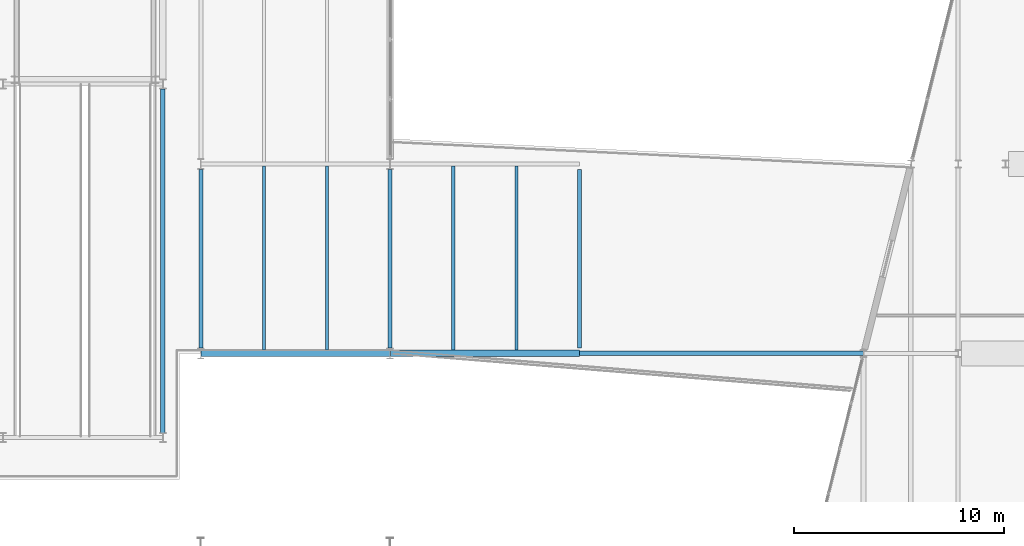
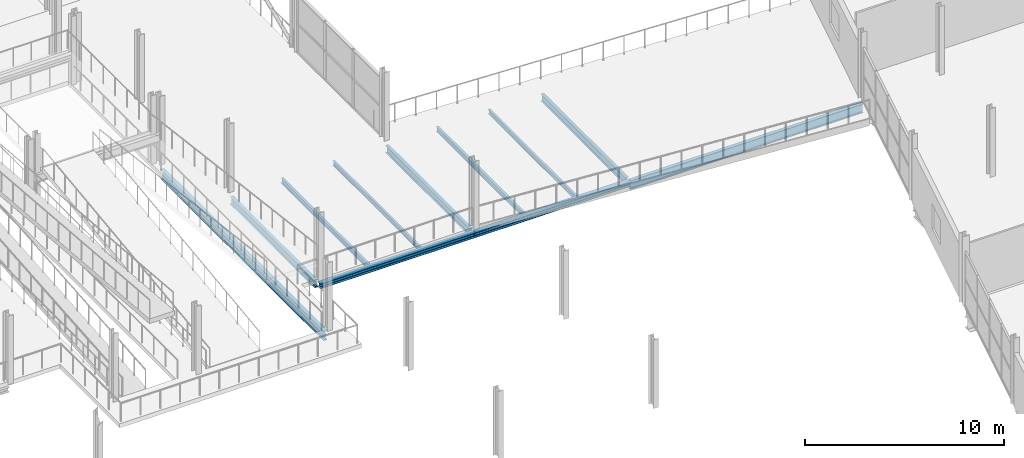
# One storey, part 59 of 135: 11 beams.
"""IFC4 building model written with IfcOpenShell, lengths in metres."""

from ifc_helpers import new_model, si_unit, direction, frame, origin, origin_2d, place, context, subcontext, project, spatial, i_section, extrude, material, material_profile, profile_set, type_object, element, save


model = new_model("IFC4")

# Units and contexts
model_context = context("Model", 3, precision=1e-05, world=origin(), true_north=direction((0.0, 1.0)))
body_context = subcontext(model_context, "Body", "Model", "MODEL_VIEW")
ifc_project = project(units=[si_unit("LENGTHUNIT", "METRE"), si_unit("AREAUNIT", "SQUARE_METRE"), si_unit("VOLUMEUNIT", "CUBIC_METRE"), si_unit("PLANEANGLEUNIT", "RADIAN"), si_unit("MASSUNIT", "GRAM", prefix="KILO")], contexts=[model_context])

# Site, building, storey
site_placement = place(None, origin())
site = spatial("IfcSite", under=ifc_project, at=site_placement, CompositionType="ELEMENT")
building_placement = place(site_placement, origin())
building = spatial("IfcBuilding", under=site, at=building_placement, Name="Deido Ridge Mobility Hub", CompositionType="ELEMENT")
storey_placement = place(building_placement, frame((0.0, 0.0, 4.199951171875)))
storey = spatial("IfcBuildingStorey", under=building, at=storey_placement, Name="L01", CompositionType="ELEMENT", Elevation=4.199951171875)

# Beams
ifc_material = material(Name="Steel S355J2 EN 10025-2", Category="steel")
ifc_material_profile_1 = material_profile(ifc_material, i_section(OverallWidth=0.18994140625, OverallDepth=0.449951171875, WebThickness=0.009521484375, FlangeThickness=0.0146484375, FilletRadius=0.02099609375, at=origin_2d()), Name="IPE 450")
ifc_profile_set_1 = profile_set([ifc_material_profile_1], Name="Steel S355J2 EN 10025-2")
beam_type_1 = type_object("IfcBeamType", Name="BM-IPE450", PredefinedType="BEAM", material=ifc_profile_set_1)
for number, where, z_axis, x_axis, name in (
    (1, (99.0, 54.25, -0.474853515625), (0.0, 1.0, 0.0), (-1.0, 0.0, 0.0), "Floor beam B4"),
    (2, (108.0, 54.25, -0.474853515625), (0.0, 1.0, 0.0), (-1.0, 0.0, 0.0), "Floor beam B4"),
    (3, (117.0, 54.25, -0.474853515625), (0.0, 1.0, 0.0), (-1.0, 0.0, 0.0), "Floor beam B4"),
):
    element("IfcBeam", number, at=place(storey_placement, frame(where, z_axis=z_axis, x_axis=x_axis)), inside=storey, type_object=beam_type_1, Name=name, PredefinedType="BEAM", context=body_context, shape_type="SweptSolid", body=[
        extrude(i_section(OverallWidth=0.18994140625, OverallDepth=0.449951171875, WebThickness=0.009521484375, FlangeThickness=0.0146484375, FilletRadius=0.02099609375, at=origin_2d()), origin(), (0.0, 0.0, 1.0), 8.5),
    ])
ifc_material_profile_2 = material_profile(ifc_material, i_section(OverallWidth=0.2099609375, OverallDepth=0.550048828125, WebThickness=0.010986328125, FlangeThickness=0.01708984375, FilletRadius=0.02392578125, at=origin_2d()), Name="IPE 550")
ifc_profile_set_2 = profile_set([ifc_material_profile_2], Name="Steel S355J2 EN 10025-2")
beam_type_2 = type_object("IfcBeamType", Name="BM-IPE550", PredefinedType="BEAM", material=ifc_profile_set_2)
beam_1_placement = place(storey_placement, frame((117.007080078125, 54.0, -0.52490234375), z_axis=(1.0, 0.0, 0.0), x_axis=(0.0, 1.0, 0.0)))
element("IfcBeam", 4, at=beam_1_placement, inside=storey, type_object=beam_type_2, Name="Floor beam B2", PredefinedType="BEAM", context=body_context, shape_type="SweptSolid", body=[
    extrude(i_section(OverallWidth=0.2099609375, OverallDepth=0.550048828125, WebThickness=0.010986328125, FlangeThickness=0.01708984375, FilletRadius=0.02392578125, at=origin_2d()), origin(), (0.0, 0.0, 1.0), 13.48681640625),
])
ifc_material_profile_3 = material_profile(ifc_material, i_section(OverallWidth=0.219970703125, OverallDepth=0.60009765625, WebThickness=0.011962890625, FlangeThickness=0.01904296875, FilletRadius=0.02392578125, at=origin_2d()), Name="IPE 600")
ifc_profile_set_3 = profile_set([ifc_material_profile_3], Name="Steel S355J2 EN 10025-2")
beam_type_3 = type_object("IfcBeamType", Name="BM-IPE600", PredefinedType="BEAM", material=ifc_profile_set_3)
beam_2_placement = place(storey_placement, frame((97.199951171875, 50.22509765625, -0.550048828125), z_axis=(0.0, 1.0, 0.0), x_axis=(-1.0, 0.0, 0.0)))
element("IfcBeam", 5, at=beam_2_placement, inside=storey, type_object=beam_type_3, Name="Floor beam B1", PredefinedType="BEAM", context=body_context, shape_type="SweptSolid", body=[
    extrude(i_section(OverallWidth=0.219970703125, OverallDepth=0.60009765625, WebThickness=0.011962890625, FlangeThickness=0.01904296875, FilletRadius=0.02392578125, at=origin_2d()), origin(), (0.0, 0.0, 1.0), 16.349853515625),
])
ifc_material_profile_4 = material_profile(ifc_material, i_section(OverallWidth=0.135009765625, OverallDepth=0.27001953125, WebThickness=0.006591796875, FlangeThickness=0.01025390625, FilletRadius=0.014892578125, at=origin_2d()), Name="IPE 270")
ifc_profile_set_4 = profile_set([ifc_material_profile_4], Name="Steel S355J2 EN 10025-2")
beam_type_4 = type_object("IfcBeamType", Name="JST-IPE270", PredefinedType="JOIST", material=ifc_profile_set_4)
for number, where, z_axis, x_axis, name in (
    (6, (105.0, 54.14990234375, -0.385009765625), (0.0, 1.0, 0.0), (-1.0, 0.0, 0.0), "Composite joist J4"),
    (7, (114.0, 54.14990234375, -0.385009765625), (0.0, 1.0, 0.0), (-1.0, 0.0, 0.0), "Composite joist J4"),
):
    element("IfcBeam", number, at=place(storey_placement, frame(where, z_axis=z_axis, x_axis=x_axis)), inside=storey, type_object=beam_type_4, Name=name, PredefinedType="JOIST", context=body_context, shape_type="SweptSolid", body=[
        extrude(i_section(OverallWidth=0.135009765625, OverallDepth=0.27001953125, WebThickness=0.006591796875, FlangeThickness=0.01025390625, FilletRadius=0.014892578125, at=origin_2d()), origin(), (0.0, 0.0, 1.0), 8.75),
    ])
ifc_material_profile_5 = material_profile(ifc_material, i_section(OverallWidth=0.14990234375, OverallDepth=0.300048828125, WebThickness=0.007080078125, FlangeThickness=0.0107421875, FilletRadius=0.014892578125, at=origin_2d()), Name="IPE 300")
ifc_profile_set_5 = profile_set([ifc_material_profile_5], Name="Steel S355J2 EN 10025-2")
beam_type_5 = type_object("IfcBeamType", Name="JST-IPE300", PredefinedType="JOIST", material=ifc_profile_set_5)
for number, where, z_axis, x_axis, name in (
    (8, (102.0, 54.14990234375, -0.39990234375), (0.0, 1.0, 0.0), (-1.0, 0.0, 0.0), "Composite joist J3"),
    (9, (111.0, 54.14990234375, -0.39990234375), (0.0, 1.0, 0.0), (-1.0, 0.0, 0.0), "Composite joist J3"),
):
    element("IfcBeam", number, at=place(storey_placement, frame(where, z_axis=z_axis, x_axis=x_axis)), inside=storey, type_object=beam_type_5, Name=name, PredefinedType="JOIST", context=body_context, shape_type="SweptSolid", body=[
        extrude(i_section(OverallWidth=0.14990234375, OverallDepth=0.300048828125, WebThickness=0.007080078125, FlangeThickness=0.0107421875, FilletRadius=0.014892578125, at=origin_2d()), origin(), (0.0, 0.0, 1.0), 8.75),
    ])
ifc_material_profile_6 = material_profile(ifc_material, i_section(OverallWidth=0.300048828125, OverallDepth=0.300048828125, WebThickness=0.010986328125, FlangeThickness=0.01904296875, FilletRadius=0.027099609375, at=origin_2d()), Name="HEB 300")
ifc_profile_set_6 = profile_set([ifc_material_profile_6], Name="Steel S355J2 EN 10025-2")
beam_type_6 = type_object("IfcBeamType", Name="SPD-HEB300", PredefinedType="SPANDREL", material=ifc_profile_set_6)
for number, where, z_axis, x_axis, name in (
    (10, (99.007080078125, 54.0, -0.39990234375), (1.0, 0.0, 0.0), (0.0, 1.0, 0.0), "Floor beam SP1"),
    (11, (108.007080078125, 54.0, -0.39990234375), (1.0, 0.0, 0.0), (0.0, 1.0, 0.0), "Floor beam SP1"),
):
    element("IfcBeam", number, at=place(storey_placement, frame(where, z_axis=z_axis, x_axis=x_axis)), inside=storey, type_object=beam_type_6, Name=name, PredefinedType="SPANDREL", context=body_context, shape_type="SweptSolid", body=[
        extrude(i_section(OverallWidth=0.300048828125, OverallDepth=0.300048828125, WebThickness=0.010986328125, FlangeThickness=0.01904296875, FilletRadius=0.027099609375, at=origin_2d()), origin(), (0.0, 0.0, 1.0), 8.98583984375),
    ])

save(model, "model.ifc")
